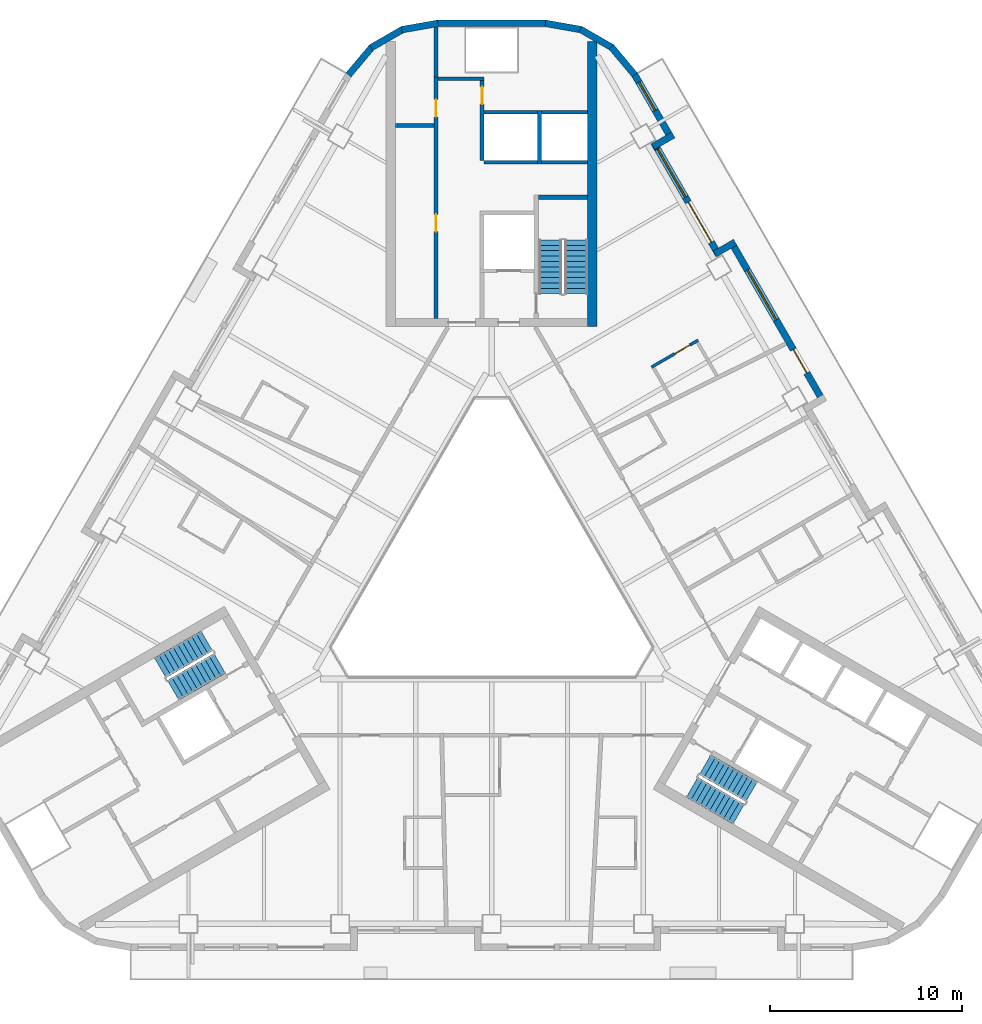
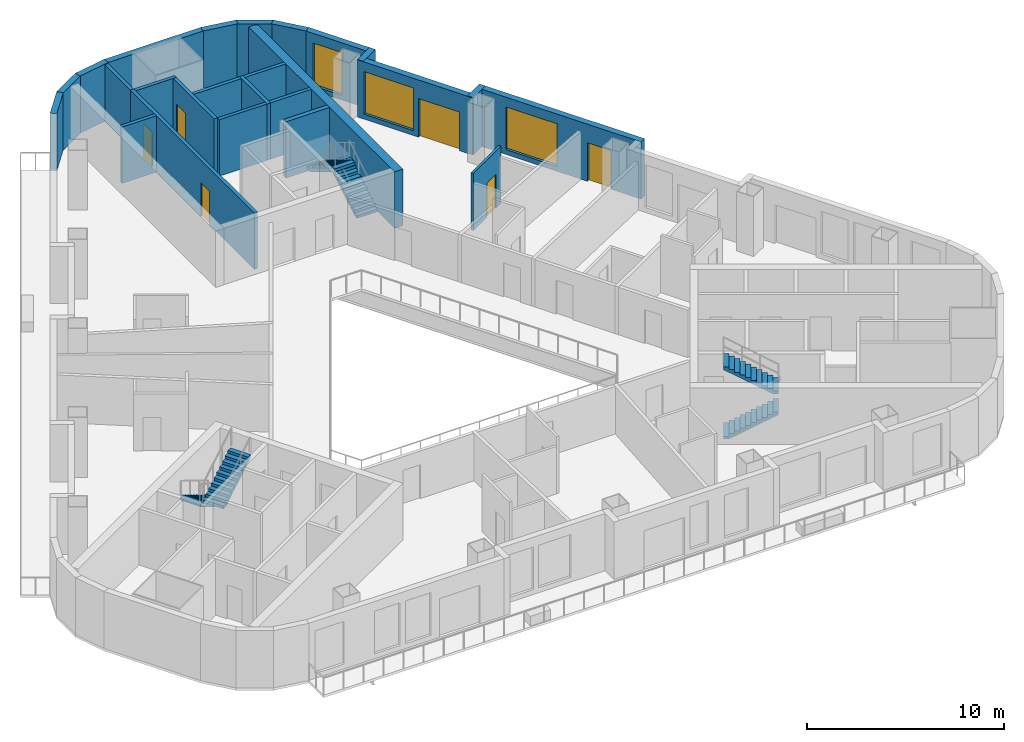
# One storey, part 7 of 13: 25 walls, 6 doors, 6 stair flights, 3 windows, 9 openings, 3 elements without a shape of their own.
"""IFC4 building model written with IfcOpenShell, lengths in metres."""

from ifc_helpers import new_model, si_unit, direction, frame, frame_2d, origin, place, context, subcontext, project, spatial, polyline, rectangle, outline, extrude, material, layer, layer_set, type_object, element, fill, aggregate, save


model = new_model("IFC4")

# Units and contexts
model_context = context("Model", 3, precision=1e-05, world=origin(), true_north=direction((0.0, 1.0)))
body_context = subcontext(model_context, "Body", "Model", "MODEL_VIEW")
ifc_project = project(units=[si_unit("LENGTHUNIT", "METRE"), si_unit("AREAUNIT", "SQUARE_METRE"), si_unit("VOLUMEUNIT", "CUBIC_METRE"), si_unit("PLANEANGLEUNIT", "RADIAN"), si_unit("MASSUNIT", "GRAM", prefix="KILO")], contexts=[model_context])

# Site, building, storey
site_placement = place(None, origin())
site = spatial("IfcSite", under=ifc_project, at=site_placement, CompositionType="ELEMENT")
building_placement = place(site_placement, origin())
building = spatial("IfcBuilding", under=site, at=building_placement, Name="Apuvela Tower Hotel", CompositionType="ELEMENT")
storey_placement = place(building_placement, frame((0.0, 0.0, 79.800048828125)))
storey = spatial("IfcBuildingStorey", under=building, at=storey_placement, Name="L17", CompositionType="ELEMENT", Elevation=79.800048828125)

# Walls
ifc_material_1 = material(Name="Concrete C50/60", Category="concrete")
ifc_layer_1 = layer(ifc_material_1, 0.5)
ifc_layer_set_1 = layer_set([ifc_layer_1], Name="COR-WALL-CORE-500")
wall_type_1 = type_object("IfcWallType", Name="COR-WALL-CORE-500", PredefinedType="SHEAR", material=ifc_layer_set_1)
wall_1_placement = place(storey_placement, frame((5.25, 12.89990234375, 0.0), z_axis=(0.0, 0.0, 1.0), x_axis=(0.0, 1.0, 0.0)))
element("IfcWall", 1, at=wall_1_placement, inside=storey, type_object=wall_type_1, Name="Core wall N", PredefinedType="SHEAR", context=body_context, shape_type="SweptSolid", body=[
    extrude(rectangle(XDim=14.8369140625, YDim=0.5, at=frame_2d((7.41845703125, 0.0))), origin(), (0.0, 0.0, 1.0), 3.5),
])
ifc_material_2 = material(Name="Blockwork 200 mm plastered", Category="masonry")
ifc_layer_2 = layer(ifc_material_2, 0.199951171875)
ifc_layer_set_2 = layer_set([ifc_layer_2], Name="COR-WALL-PART-200")
wall_type_2 = type_object("IfcWallType", Name="COR-WALL-PART-200", PredefinedType="PARTITIONING", material=ifc_layer_set_2)
wall_2_placement = place(storey_placement, frame((5.0, 21.449951171875, 0.0), z_axis=(0.0, 0.0, 1.0), x_axis=(-1.0, 0.0, 0.0)))
element("IfcWall", 2, at=wall_2_placement, inside=storey, type_object=wall_type_2, Name="Partition N", PredefinedType="PARTITIONING", context=body_context, shape_type="SweptSolid", body=[
    extrude(rectangle(XDim=2.39990234375, YDim=0.199951171875, at=frame_2d((1.199951171875, 0.0))), origin(), (0.0, 0.0, 1.0), 3.5),
])
wall_3_placement = place(storey_placement, frame((2.39990234375, 21.449951171875, 0.0), z_axis=(0.0, 0.0, 1.0), x_axis=(-1.0, 0.0, 0.0)))
element("IfcWall", 3, at=wall_3_placement, inside=storey, type_object=wall_type_2, Name="Partition N", PredefinedType="PARTITIONING", context=body_context, shape_type="SweptSolid", body=[
    extrude(rectangle(XDim=2.7998046875, YDim=0.199951171875, at=frame_2d((1.39990234375, 0.0))), origin(), (0.0, 0.0, 1.0), 3.5),
])

# Wall, openings, doors
ifc_layer_3 = layer(ifc_material_1, 0.199951171875)
ifc_layer_set_3 = layer_set([ifc_layer_3], Name="COR-WALL-SHAFT-200")
wall_type_3 = type_object("IfcWallType", Name="COR-WALL-SHAFT-200", PredefinedType="SHEAR", material=ifc_layer_set_3)
wall_4_placement = place(storey_placement, frame((-2.89990234375, 13.300048828125, 0.0), z_axis=(0.0, 0.0, 1.0), x_axis=(0.0, 1.0, 0.0)))
wall_4 = element("IfcWall", 4, at=wall_4_placement, inside=storey, type_object=wall_type_3, Name="Shaft wall N", PredefinedType="SHEAR", context=body_context, shape_type="SweptSolid", body=[
    extrude(rectangle(XDim=12.599853515625, YDim=0.199951171875, at=frame_2d((6.2998046875, 0.0))), origin(), (0.0, 0.0, 1.0), 3.5),
])
opening_1_placement = place(wall_4_placement, frame((4.530029296875, 0.0, 0.0)))
opening_1 = element("IfcOpeningElement", 5, at=opening_1_placement, cuts=wall_4, Name="Opening N-RE1", PredefinedType="OPENING", context=body_context, shape_type="SweptSolid", body=[
    extrude(rectangle(XDim=0.89990234375, YDim=2.10009765625, at=frame_2d((0.449951171875, 1.050048828125))), frame((0.0, 0.10986328125, 0.0), z_axis=(0.0, -1.0, 0.0), x_axis=(1.0, 0.0, 0.0)), (0.0, 0.0, 1.0), 0.219970703125),
])
opening_2_placement = place(wall_4_placement, frame((10.510009765625, 0.0, 0.0)))
opening_2 = element("IfcOpeningElement", 6, at=opening_2_placement, cuts=wall_4, Name="Opening N-REP", PredefinedType="OPENING", context=body_context, shape_type="SweptSolid", body=[
    extrude(rectangle(XDim=0.89990234375, YDim=2.10009765625, at=frame_2d((0.449951171875, 1.050048828125))), frame((0.0, 0.10986328125, 0.0), z_axis=(0.0, -1.0, 0.0), x_axis=(1.0, 0.0, 0.0)), (0.0, 0.0, 1.0), 0.219970703125),
])
ifc_material_3 = material(Name="Steel fire door, powder coated", Category="steel")
door_type_1 = type_object("IfcDoorType", Name="COR-DR-900", OperationType="NOTDEFINED", PredefinedType="DOOR", material=ifc_material_3)
door_1_placement = place(opening_1_placement, origin())
door_1 = element("IfcDoor", 7, at=door_1_placement, inside=storey, type_object=door_type_1, Name="Store door N-RE1", OperationType="SINGLE_SWING_LEFT", OverallHeight=2.10009765625, OverallWidth=0.89990234375, PredefinedType="DOOR", context=body_context, shape_type="SweptSolid", body=[
    extrude(rectangle(XDim=0.89990234375, YDim=2.10009765625, at=frame_2d((0.449951171875, 1.050048828125))), frame((0.0, 0.02490234375, 0.0), z_axis=(0.0, -1.0, 0.0), x_axis=(1.0, 0.0, 0.0)), (0.0, 0.0, 1.0), 0.050048828125),
])
fill(opening_1, door_1)
door_2_placement = place(opening_2_placement, origin())
door_2 = element("IfcDoor", 8, at=door_2_placement, inside=storey, type_object=door_type_1, Name="Store door N-REP", OperationType="SINGLE_SWING_RIGHT", OverallHeight=2.10009765625, OverallWidth=0.89990234375, PredefinedType="DOOR", context=body_context, shape_type="SweptSolid", body=[
    extrude(rectangle(XDim=0.89990234375, YDim=2.10009765625, at=frame_2d((0.449951171875, 1.050048828125))), frame((0.0, 0.02490234375, 0.0), z_axis=(0.0, -1.0, 0.0), x_axis=(1.0, 0.0, 0.0)), (0.0, 0.0, 1.0), 0.050048828125),
])
fill(opening_2, door_2)

# Wall
wall_5_placement = place(storey_placement, frame((-0.39990234375, 25.800048828125, 0.0), z_axis=(0.0, 0.0, 1.0), x_axis=(-1.0, 0.0, 0.0)))
element("IfcWall", 9, at=wall_5_placement, inside=storey, type_object=wall_type_3, Name="Shaft wall N", PredefinedType="SHEAR", context=body_context, shape_type="SweptSolid", body=[
    extrude(rectangle(XDim=2.400146484375, YDim=0.199951171875, at=frame_2d((1.2001953125, 0.0))), origin(), (0.0, 0.0, 1.0), 3.5),
])

# Wall, opening, door
wall_6_placement = place(storey_placement, frame((-0.5, 21.550048828125, 0.0), z_axis=(0.0, 0.0, 1.0), x_axis=(0.0, 1.0, 0.0)))
wall_6 = element("IfcWall", 10, at=wall_6_placement, inside=storey, type_object=wall_type_3, Name="Shaft wall N", PredefinedType="SHEAR", context=body_context, shape_type="SweptSolid", body=[
    extrude(rectangle(XDim=4.14990234375, YDim=0.199951171875, at=frame_2d((2.074951171875, 0.0))), origin(), (0.0, 0.0, 1.0), 3.5),
])
opening_3_placement = place(wall_6_placement, frame((2.925048828125, 0.0, 0.0)))
opening_3 = element("IfcOpeningElement", 11, at=opening_3_placement, cuts=wall_6, Name="Opening N-RSP", PredefinedType="OPENING", context=body_context, shape_type="SweptSolid", body=[
    extrude(rectangle(XDim=0.89990234375, YDim=2.10009765625, at=frame_2d((0.449951171875, 1.050048828125))), frame((0.0, 0.10986328125, 0.0), z_axis=(0.0, -1.0, 0.0), x_axis=(1.0, 0.0, 0.0)), (0.0, 0.0, 1.0), 0.219970703125),
])
door_3_placement = place(opening_3_placement, frame((0.89990234375, 0.0, 0.0), z_axis=(0.0, 0.0, 1.0), x_axis=(-1.0, 0.0, 0.0)))
door_3 = element("IfcDoor", 12, at=door_3_placement, inside=storey, type_object=door_type_1, Name="Store door N-RSP", OperationType="SINGLE_SWING_LEFT", OverallHeight=2.10009765625, OverallWidth=0.89990234375, PredefinedType="DOOR", context=body_context, shape_type="SweptSolid", body=[
    extrude(rectangle(XDim=0.89990234375, YDim=2.10009765625, at=frame_2d((0.449951171875, 1.050048828125))), frame((0.0, 0.02490234375, 0.0), z_axis=(0.0, -1.0, 0.0), x_axis=(1.0, 0.0, 0.0)), (0.0, 0.0, 1.0), 0.050048828125),
])
fill(opening_3, door_3)

# Walls
wall_7_placement = place(storey_placement, frame((-3.0, 23.360107421875, 0.0), z_axis=(0.0, 0.0, 1.0), x_axis=(-1.0, 0.0, 0.0)))
element("IfcWall", 13, at=wall_7_placement, inside=storey, type_object=wall_type_3, Name="Shaft wall N", PredefinedType="SHEAR", context=body_context, shape_type="SweptSolid", body=[
    extrude(rectangle(XDim=2.0, YDim=0.199951171875, at=frame_2d((1.0, 0.0))), origin(), (0.0, 0.0, 1.0), 3.5),
])
wall_8_placement = place(storey_placement, frame((-2.89990234375, 25.89990234375, 0.0), z_axis=(0.0, 0.0, 1.0), x_axis=(0.0, 1.0, 0.0)))
element("IfcWall", 14, at=wall_8_placement, inside=storey, type_object=wall_type_3, Name="Shaft wall N", PredefinedType="SHEAR", context=body_context, shape_type="SweptSolid", body=[
    extrude(rectangle(XDim=2.60009765625, YDim=0.199951171875, at=frame_2d((1.300048828125, 0.0))), origin(), (0.0, 0.0, 1.0), 3.5),
])
wall_9_placement = place(storey_placement, frame((2.5, 21.35009765625, 0.0), z_axis=(0.0, 0.0, 1.0), x_axis=(0.0, 1.0, 0.0)))
element("IfcWall", 15, at=wall_9_placement, inside=storey, type_object=wall_type_3, Name="Shaft wall N", PredefinedType="SHEAR", context=body_context, shape_type="SweptSolid", body=[
    extrude(rectangle(XDim=2.7998046875, YDim=0.199951171875, at=frame_2d((1.39990234375, 0.0))), origin(), (0.0, 0.0, 1.0), 3.5),
])
wall_10_placement = place(storey_placement, frame((5.0, 24.050048828125, 0.0), z_axis=(0.0, 0.0, 1.0), x_axis=(-1.0, 0.0, 0.0)))
element("IfcWall", 16, at=wall_10_placement, inside=storey, type_object=wall_type_3, Name="Shaft wall N", PredefinedType="SHEAR", context=body_context, shape_type="SweptSolid", body=[
    extrude(rectangle(XDim=2.39990234375, YDim=0.199951171875, at=frame_2d((1.199951171875, 0.0))), origin(), (0.0, 0.0, 1.0), 3.5),
])
wall_11_placement = place(storey_placement, frame((2.39990234375, 24.050048828125, 0.0), z_axis=(0.0, 0.0, 1.0), x_axis=(-1.0, 0.0, 0.0)))
element("IfcWall", 17, at=wall_11_placement, inside=storey, type_object=wall_type_3, Name="Shaft wall N", PredefinedType="SHEAR", context=body_context, shape_type="SweptSolid", body=[
    extrude(rectangle(XDim=2.7998046875, YDim=0.199951171875, at=frame_2d((1.39990234375, 0.0))), origin(), (0.0, 0.0, 1.0), 3.5),
])
ifc_layer_4 = layer(ifc_material_1, 0.25)
ifc_layer_set_4 = layer_set([ifc_layer_4], Name="COR-WALL-STAIR-250")
wall_type_4 = type_object("IfcWallType", Name="COR-WALL-STAIR-250", PredefinedType="SHEAR", material=ifc_layer_set_4)
wall_12_placement = place(storey_placement, frame((5.0, 19.625, 0.0), z_axis=(0.0, 0.0, 1.0), x_axis=(-1.0, 0.0, 0.0)))
element("IfcWall", 18, at=wall_12_placement, inside=storey, type_object=wall_type_4, Name="Stair wall N", PredefinedType="SHEAR", context=body_context, shape_type="SweptSolid", body=[
    extrude(rectangle(XDim=2.550048828125, YDim=0.25, at=frame_2d((1.27490234375, 0.0))), origin(), (0.0, 0.0, 1.0), 3.5),
])

# Wall, openings, door, window
ifc_material_4 = material(Name="Concrete C40/50, dark pigmented precast panel", Category="concrete")
ifc_layer_5 = layer(ifc_material_4, 0.35009765625)
ifc_layer_set_5 = layer_set([ifc_layer_5], Name="ENV-WALL-350")
wall_type_5 = type_object("IfcWallType", Name="ENV-WALL-350", PredefinedType="SOLIDWALL", material=ifc_layer_set_5)
wall_13_placement = place(storey_placement, frame((17.298583984375, 8.947998046875, 0.0), z_axis=(0.0, 0.0, 1.0), x_axis=(-0.500010041276, 0.866019606374, 0.0)))
wall_13 = element("IfcWall", 19, at=wall_13_placement, inside=storey, type_object=wall_type_5, Name="External wall L17-37", PredefinedType="SOLIDWALL", context=body_context, shape_type="SweptSolid", body=[
    extrude(rectangle(XDim=9.699951171875, YDim=0.35009765625, at=frame_2d((4.85009765625, 0.0))), origin(), (0.0, 0.0, 1.0), 3.550048828125),
])
opening_4_placement = place(wall_13_placement, frame((1.760009765625, 0.0, 0.0)))
opening_4 = element("IfcOpeningElement", 20, at=opening_4_placement, cuts=wall_13, Name="Opening BD14", PredefinedType="OPENING", context=body_context, shape_type="SweptSolid", body=[
    extrude(rectangle(XDim=1.39990234375, YDim=2.39990234375, at=frame_2d((0.699951171875, 1.199951171875))), frame((0.0, 0.18505859375, 0.0), z_axis=(0.0, -1.0, 0.0), x_axis=(1.0, 0.0, 0.0)), (0.0, 0.0, 1.0), 0.3701171875),
])
opening_5_placement = place(wall_13_placement, frame((4.94921875, 0.0, 0.300048828125)))
opening_5 = element("IfcOpeningElement", 21, at=opening_5_placement, cuts=wall_13, Name="Opening WN30", PredefinedType="OPENING", context=body_context, shape_type="SweptSolid", body=[
    extrude(rectangle(XDim=3.0, YDim=2.64990234375, at=frame_2d((1.5, 1.324951171875))), frame((0.0, 0.18505859375, 0.0), z_axis=(0.0, -1.0, 0.0), x_axis=(1.0, 0.0, 0.0)), (0.0, 0.0, 1.0), 0.3701171875),
])
ifc_material_5 = material(Name="Aluminium 6063-T6, dark bronze anodised frame with dark tinted laminated glass", Category="aluminium")
door_type_2 = type_object("IfcDoorType", Name="ENV-DOOR-BALCONY-1400x2400", OperationType="SLIDING_TO_LEFT", PredefinedType="DOOR", material=ifc_material_5)
door_4_placement = place(opening_4_placement, frame((1.39990234375, 0.0, 0.0), z_axis=(0.0, 0.0, 1.0), x_axis=(-1.0, 0.0, 0.0)))
door_4 = element("IfcDoor", 22, at=door_4_placement, inside=storey, type_object=door_type_2, Name="Balcony door BD14", OperationType="SLIDING_TO_LEFT", OverallHeight=2.39990234375, OverallWidth=1.39990234375, PredefinedType="DOOR", context=body_context, shape_type="SweptSolid", body=[
    extrude(rectangle(XDim=1.39990234375, YDim=2.39990234375, at=frame_2d((0.699951171875, 1.199951171875))), frame((0.0, 0.02490234375, 0.0), z_axis=(0.0, -1.0, 0.0), x_axis=(1.0, 0.0, 0.0)), (0.0, 0.0, 1.0), 0.050048828125),
])
fill(opening_4, door_4)
ifc_material_6 = material(Name="Glass, dark tinted laminated insulated glazing unit", Category="glass")
window_type_1 = type_object("IfcWindowType", Name="ENV-WIN-3000x2650", PartitioningType="SINGLE_PANEL", PredefinedType="WINDOW", material=ifc_material_6)
window_1_placement = place(opening_5_placement, origin())
window_1 = element("IfcWindow", 23, at=window_1_placement, inside=storey, type_object=window_type_1, Name="Window WN30", OverallHeight=2.64990234375, OverallWidth=3.0, PartitioningType="SINGLE_PANEL", PredefinedType="WINDOW", context=body_context, shape_type="SweptSolid", body=[
    extrude(rectangle(XDim=3.0, YDim=2.64990234375, at=frame_2d((1.5, 1.324951171875))), frame((0.0, 0.030029296875, 0.0), z_axis=(0.0, -1.0, 0.0), x_axis=(1.0, 0.0, 0.0)), (0.0, 0.0, 1.0), 0.06005859375),
])
fill(opening_5, window_1)

# Wall
wall_14_placement = place(storey_placement, frame((12.6875, 17.284423828125, 0.0), z_axis=(0.0, 0.0, 1.0), x_axis=(-0.865955602162, -0.500120880472, 0.0)))
element("IfcWall", 24, at=wall_14_placement, inside=storey, type_object=wall_type_5, Name="External wall L17-38", PredefinedType="SOLIDWALL", context=body_context, shape_type="SweptSolid", body=[
    extrude(rectangle(XDim=1.219970703125, YDim=0.35009765625, at=frame_2d((0.60986328125, 0.0))), origin(), (0.0, 0.0, 1.0), 3.550048828125),
])

# Wall, openings, door, window
wall_15_placement = place(storey_placement, frame((11.8291015625, 16.621337890625, 0.0), z_axis=(0.0, 0.0, 1.0), x_axis=(-0.500003597184, 0.866023326939, 0.0)))
wall_15 = element("IfcWall", 25, at=wall_15_placement, inside=storey, type_object=wall_type_5, Name="External wall L17-39", PredefinedType="SOLIDWALL", context=body_context, shape_type="SweptSolid", body=[
    extrude(rectangle(XDim=6.740234375, YDim=0.35009765625, at=frame_2d((3.3701171875, 0.0))), origin(), (0.0, 0.0, 1.0), 3.550048828125),
])
opening_6_placement = place(wall_15_placement, frame((0.77001953125, 0.0, 0.0)))
opening_6 = element("IfcOpeningElement", 26, at=opening_6_placement, cuts=wall_15, Name="Opening BD24", PredefinedType="OPENING", context=body_context, shape_type="SweptSolid", body=[
    extrude(rectangle(XDim=2.39990234375, YDim=2.39990234375, at=frame_2d((1.199951171875, 1.199951171875))), frame((0.0, 0.18505859375, 0.0), z_axis=(0.0, -1.0, 0.0), x_axis=(1.0, 0.0, 0.0)), (0.0, 0.0, 1.0), 0.3701171875),
])
opening_7_placement = place(wall_15_placement, frame((3.469970703125, 0.0, 0.300048828125)))
opening_7 = element("IfcOpeningElement", 27, at=opening_7_placement, cuts=wall_15, Name="Opening WN29", PredefinedType="OPENING", context=body_context, shape_type="SweptSolid", body=[
    extrude(rectangle(XDim=2.89990234375, YDim=2.64990234375, at=frame_2d((1.449951171875, 1.324951171875))), frame((0.0, 0.18505859375, 0.0), z_axis=(0.0, -1.0, 0.0), x_axis=(1.0, 0.0, 0.0)), (0.0, 0.0, 1.0), 0.3701171875),
])
door_type_3 = type_object("IfcDoorType", Name="ENV-DOOR-BALCONY-2400x2400", OperationType="SLIDING_TO_LEFT", PredefinedType="DOOR", material=ifc_material_5)
door_5_placement = place(opening_6_placement, frame((2.39990234375, 0.0, 0.0), z_axis=(0.0, 0.0, 1.0), x_axis=(-1.0, 0.0, 0.0)))
door_5 = element("IfcDoor", 28, at=door_5_placement, inside=storey, type_object=door_type_3, Name="Balcony door BD24", OperationType="SLIDING_TO_LEFT", OverallHeight=2.39990234375, OverallWidth=2.39990234375, PredefinedType="DOOR", context=body_context, shape_type="SweptSolid", body=[
    extrude(rectangle(XDim=2.39990234375, YDim=2.39990234375, at=frame_2d((1.199951171875, 1.199951171875))), frame((0.0, 0.02490234375, 0.0), z_axis=(0.0, -1.0, 0.0), x_axis=(1.0, 0.0, 0.0)), (0.0, 0.0, 1.0), 0.050048828125),
])
fill(opening_6, door_5)
window_type_2 = type_object("IfcWindowType", Name="ENV-WIN-2900x2650", PartitioningType="SINGLE_PANEL", PredefinedType="WINDOW", material=ifc_material_6)
window_2_placement = place(opening_7_placement, origin())
window_2 = element("IfcWindow", 29, at=window_2_placement, inside=storey, type_object=window_type_2, Name="Window WN29", OverallHeight=2.64990234375, OverallWidth=2.89990234375, PartitioningType="SINGLE_PANEL", PredefinedType="WINDOW", context=body_context, shape_type="SweptSolid", body=[
    extrude(rectangle(XDim=2.89990234375, YDim=2.64990234375, at=frame_2d((1.449951171875, 1.324951171875))), frame((0.0, 0.030029296875, 0.0), z_axis=(0.0, -1.0, 0.0), x_axis=(1.0, 0.0, 0.0)), (0.0, 0.0, 1.0), 0.06005859375),
])
fill(opening_7, window_2)

# Wall
wall_16_placement = place(storey_placement, frame((8.406005859375, 22.26025390625, 0.0), z_axis=(0.0, 0.0, 1.0), x_axis=(0.865955602162, 0.500120880472, 0.0)))
element("IfcWall", 30, at=wall_16_placement, inside=storey, type_object=wall_type_5, Name="External wall L17-40", PredefinedType="SOLIDWALL", context=body_context, shape_type="SweptSolid", body=[
    extrude(rectangle(XDim=1.219970703125, YDim=0.35009765625, at=frame_2d((0.60986328125, 0.0))), origin(), (0.0, 0.0, 1.0), 3.550048828125),
])

# Wall, opening, window
wall_17_placement = place(storey_placement, frame((9.3984375, 22.631103515625, 0.0), z_axis=(0.0, 0.0, 1.0), x_axis=(-0.499954521343, 0.866051659307, 0.0)))
wall_17 = element("IfcWall", 31, at=wall_17_placement, inside=storey, type_object=wall_type_5, Name="External wall L17-41", PredefinedType="SOLIDWALL", context=body_context, shape_type="SweptSolid", body=[
    extrude(rectangle(XDim=3.915771484375, YDim=0.35009765625, at=frame_2d((1.9580078125, 0.0))), origin(), (0.0, 0.0, 1.0), 3.550048828125),
])
opening_8_placement = place(wall_17_placement, frame((1.749755859375, 0.0, 0.300048828125)))
opening_8 = element("IfcOpeningElement", 32, at=opening_8_placement, cuts=wall_17, Name="Opening WN17", PredefinedType="OPENING", context=body_context, shape_type="SweptSolid", body=[
    extrude(rectangle(XDim=1.699951171875, YDim=2.64990234375, at=frame_2d((0.85009765625, 1.324951171875))), frame((0.0, 0.18505859375, 0.0), z_axis=(0.0, -1.0, 0.0), x_axis=(1.0, 0.0, 0.0)), (0.0, 0.0, 1.0), 0.3701171875),
])
window_type_3 = type_object("IfcWindowType", Name="ENV-WIN-1700x2650", PartitioningType="SINGLE_PANEL", PredefinedType="WINDOW", material=ifc_material_6)
window_3_placement = place(opening_8_placement, origin())
window_3 = element("IfcWindow", 33, at=window_3_placement, inside=storey, type_object=window_type_3, Name="Window WN17", OverallHeight=2.64990234375, OverallWidth=1.699951171875, PartitioningType="SINGLE_PANEL", PredefinedType="WINDOW", context=body_context, shape_type="SweptSolid", body=[
    extrude(rectangle(XDim=1.699951171875, YDim=2.64990234375, at=frame_2d((0.85009765625, 1.324951171875))), frame((0.0, 0.030029296875, 0.0), z_axis=(0.0, -1.0, 0.0), x_axis=(1.0, 0.0, 0.0)), (0.0, 0.0, 1.0), 0.06005859375),
])
fill(opening_8, window_3)

# Walls
wall_18_placement = place(storey_placement, frame((7.4580078125, 25.99755859375, 0.0), z_axis=(0.0, 0.0, 1.0), x_axis=(-0.642808304945, 0.766027077259, 0.0)))
element("IfcWall", 34, at=wall_18_placement, inside=storey, type_object=wall_type_5, Name="External wall L17-42", PredefinedType="SOLIDWALL", context=body_context, shape_type="SweptSolid", body=[
    extrude(rectangle(XDim=1.909912109375, YDim=0.35009765625, at=frame_2d((0.955078125, 0.0))), origin(), (0.0, 0.0, 1.0), 3.550048828125),
])
for number, where, z_axis, x_axis, name in (
    (35, (6.27685546875, 27.421630859375, 0.0), (0.0, 0.0, 1.0), (-0.866032345022, 0.499987977232, 0.0), "External wall L17-43"),
    (36, (4.6796875, 28.35595703125, 0.0), (0.0, 0.0, 1.0), (-0.984798995425, 0.173697837091, 0.0), "External wall L17-44"),
):
    element("IfcWall", number, at=place(storey_placement, frame(where, z_axis=z_axis, x_axis=x_axis)), inside=storey, type_object=wall_type_5, Name=name, PredefinedType="SOLIDWALL", context=body_context, shape_type="SweptSolid", body=[
        extrude(rectangle(XDim=1.91015625, YDim=0.35009765625, at=frame_2d((0.955078125, 0.0))), origin(), (0.0, 0.0, 1.0), 3.550048828125),
    ])
wall_19_placement = place(storey_placement, frame((2.8291015625, 28.68505859375, 0.0), z_axis=(0.0, 0.0, 1.0), x_axis=(-1.0, 0.0, 0.0)))
element("IfcWall", 37, at=wall_19_placement, inside=storey, type_object=wall_type_5, Name="External wall L17-45", PredefinedType="SOLIDWALL", context=body_context, shape_type="SweptSolid", body=[
    extrude(rectangle(XDim=5.658203125, YDim=0.35009765625, at=frame_2d((2.8291015625, 0.0))), origin(), (0.0, 0.0, 1.0), 3.550048828125),
])
for number, where, z_axis, x_axis, name in (
    (38, (-2.798583984375, 28.687744140625, 0.0), (0.0, 0.0, 1.0), (-0.984798995425, -0.173697837091, 0.0), "External wall L17-46"),
    (39, (-4.62255859375, 28.376708984375, 0.0), (0.0, 0.0, 1.0), (-0.866032345022, -0.499987977232, 0.0), "External wall L17-47"),
):
    element("IfcWall", number, at=place(storey_placement, frame(where, z_axis=z_axis, x_axis=x_axis)), inside=storey, type_object=wall_type_5, Name=name, PredefinedType="SOLIDWALL", context=body_context, shape_type="SweptSolid", body=[
        extrude(rectangle(XDim=1.91015625, YDim=0.35009765625, at=frame_2d((0.955078125, 0.0))), origin(), (0.0, 0.0, 1.0), 3.550048828125),
    ])
wall_20_placement = place(storey_placement, frame((-6.230224609375, 27.460693359375, 0.0), z_axis=(0.0, 0.0, 1.0), x_axis=(-0.642808304945, -0.766027077259, 0.0)))
element("IfcWall", 40, at=wall_20_placement, inside=storey, type_object=wall_type_5, Name="External wall L17-48", PredefinedType="SOLIDWALL", context=body_context, shape_type="SweptSolid", body=[
    extrude(rectangle(XDim=1.909912109375, YDim=0.35009765625, at=frame_2d((0.955078125, 0.0))), origin(), (0.0, 0.0, 1.0), 3.550048828125),
])

# Wall, opening, door
ifc_material_7 = material(Name="Moisture-resistant gypsum board wet wall on steel stud", Category="steel")
ifc_layer_6 = layer(ifc_material_7, 0.14990234375)
ifc_layer_set_6 = layer_set([ifc_layer_6], Name="GST-PW3")
wall_type_6 = type_object("IfcWallType", Name="GST-PW3", PredefinedType="PARTITIONING", material=ifc_layer_set_6)
wall_21_placement = place(storey_placement, frame((10.75341796875, 12.17431640625, 0.0), z_axis=(0.0, 0.0, 1.0), x_axis=(-0.866034573852, -0.49998411664, 0.0)))
wall_21 = element("IfcWall", 41, at=wall_21_placement, inside=storey, type_object=wall_type_6, Name="L17 partition 30", PredefinedType="PARTITIONING", context=body_context, shape_type="SweptSolid", body=[
    extrude(rectangle(XDim=2.7998046875, YDim=0.14990234375, at=frame_2d((1.39990234375, 0.0))), origin(), (0.0, 0.0, 1.0), 3.550048828125),
])
opening_9_placement = place(wall_21_placement, frame((0.5, 0.0, 0.0)))
opening_9 = element("IfcOpeningElement", 42, at=opening_9_placement, cuts=wall_21, Name="Opening GD05-13", PredefinedType="OPENING", context=body_context, shape_type="SweptSolid", body=[
    extrude(rectangle(XDim=0.89990234375, YDim=2.10009765625, at=frame_2d((0.449951171875, 1.050048828125))), frame((0.0, 0.0849609375, 0.0), z_axis=(0.0, -1.0, 0.0), x_axis=(1.0, 0.0, 0.0)), (0.0, 0.0, 1.0), 0.169921875),
])
ifc_material_8 = material(Name="Timber door leaf in steel frame", Category="steel")
door_type_4 = type_object("IfcDoorType", Name="GST-D2", OperationType="NOTDEFINED", PredefinedType="DOOR", material=ifc_material_8)
door_6_placement = place(opening_9_placement, origin())
door_6 = element("IfcDoor", 43, at=door_6_placement, inside=storey, type_object=door_type_4, Name="Door L17-13", OperationType="SINGLE_SWING_LEFT", OverallHeight=2.10009765625, OverallWidth=0.89990234375, PredefinedType="DOOR", context=body_context, shape_type="SweptSolid", body=[
    extrude(rectangle(XDim=0.89990234375, YDim=2.10009765625, at=frame_2d((0.449951171875, 1.050048828125))), frame((0.0, 0.02490234375, 0.0), z_axis=(0.0, -1.0, 0.0), x_axis=(1.0, 0.0, 0.0)), (0.0, 0.0, 1.0), 0.050048828125),
])
fill(opening_9, door_6)

# Stair, stair flights
stair_type = type_object("IfcStairType", Name="COR-STAIR-22R", PredefinedType="HALF_TURN_STAIR", material=ifc_material_1)
stair_1_placement = place(storey_placement, origin())
stair_1 = element("IfcStair", 44, at=stair_1_placement, inside=storey, type_object=stair_type, Name="L17 Exit stair ST1", PredefinedType="HALF_TURN_STAIR")
stair_flight_type = type_object("IfcStairFlightType", Name="COR-FLIGHT-11R", PredefinedType="STRAIGHT", material=ifc_material_1)
stair_flight_1_placement = place(storey_placement, frame((4.39990234375, 14.60009765625, 0.0), z_axis=(0.0, 0.0, 1.0), x_axis=(0.0, 1.0, 0.0)))
stair_flight_1 = element("IfcStairFlight", 45, at=stair_flight_1_placement, type_object=stair_flight_type, Name="ST1 flight 1", NumberOfRisers=11, NumberOfTreads=10, PredefinedType="STRAIGHT", RiserHeight=0.168181818, TreadLength=0.28, context=body_context, shape_type="SweptSolid", body=[
    extrude(outline(polyline([(0.0, 0.0), (0.0, 0.168212890625), (0.280029296875, 0.168212890625), (0.280029296875, 0.33642578125), (0.56005859375, 0.33642578125), (0.56005859375, 0.504638671875), (0.840087890625, 0.504638671875), (0.840087890625, 0.672607421875), (1.1201171875, 0.672607421875), (1.1201171875, 0.8408203125), (1.39990234375, 0.8408203125), (1.39990234375, 1.009033203125), (1.679931640625, 1.009033203125), (1.679931640625, 1.17724609375), (1.9599609375, 1.17724609375), (1.9599609375, 1.345458984375), (2.239990234375, 1.345458984375), (2.239990234375, 1.513671875), (2.52001953125, 1.513671875), (2.52001953125, 1.681884765625), (2.800048828125, 1.681884765625), (2.800048828125, 1.85009765625), (2.800048828125, 1.5068359375), (0.291015625, 0.0), (0.0, 0.0)])), frame((0.0, 0.60009765625, 0.0), z_axis=(0.0, -1.0, 0.0), x_axis=(1.0, 0.0, 0.0)), (0.0, 0.0, 1.0), 1.199951171875),
])
stair_flight_2_placement = place(storey_placement, frame((3.050048828125, 17.39990234375, 1.849853515625), z_axis=(0.0, 0.0, 1.0), x_axis=(0.0, -1.0, 0.0)))
stair_flight_2 = element("IfcStairFlight", 46, at=stair_flight_2_placement, type_object=stair_flight_type, Name="ST1 flight 2", NumberOfRisers=11, NumberOfTreads=10, PredefinedType="STRAIGHT", RiserHeight=0.168181818, TreadLength=0.28, context=body_context, shape_type="SweptSolid", body=[
    extrude(outline(polyline([(0.0, 0.0), (0.0, 0.168212890625), (0.280029296875, 0.168212890625), (0.280029296875, 0.33642578125), (0.56005859375, 0.33642578125), (0.56005859375, 0.504638671875), (0.840087890625, 0.504638671875), (0.840087890625, 0.672607421875), (1.1201171875, 0.672607421875), (1.1201171875, 0.8408203125), (1.39990234375, 0.8408203125), (1.39990234375, 1.009033203125), (1.679931640625, 1.009033203125), (1.679931640625, 1.17724609375), (1.9599609375, 1.17724609375), (1.9599609375, 1.345458984375), (2.239990234375, 1.345458984375), (2.239990234375, 1.513671875), (2.52001953125, 1.513671875), (2.52001953125, 1.681884765625), (2.800048828125, 1.681884765625), (2.800048828125, 1.85009765625), (2.800048828125, 1.5068359375), (0.291015625, 0.0), (0.0, 0.0)])), frame((0.0, 0.60009765625, 0.0), z_axis=(0.0, -1.0, 0.0), x_axis=(1.0, 0.0, 0.0)), (0.0, 0.0, 1.0), 1.199951171875),
])
aggregate(stair_1, [stair_flight_1, stair_flight_2])

stair_2_placement = place(storey_placement, origin())
stair_2 = element("IfcStair", 47, at=stair_2_placement, inside=storey, type_object=stair_type, Name="L17 Exit stair ST2", PredefinedType="HALF_TURN_STAIR")
stair_flight_3_placement = place(storey_placement, frame((-14.843994140625, -3.489501953125, 0.0), z_axis=(0.0, 0.0, 1.0), x_axis=(-0.866025403784, -0.5, 0.0)))
stair_flight_3 = element("IfcStairFlight", 48, at=stair_flight_3_placement, type_object=stair_flight_type, Name="ST2 flight 1", NumberOfRisers=11, NumberOfTreads=10, PredefinedType="STRAIGHT", RiserHeight=0.168181818, TreadLength=0.28, context=body_context, shape_type="SweptSolid", body=[
    extrude(outline(polyline([(0.0, 0.0), (0.0, 0.168212890625), (0.280029296875, 0.168212890625), (0.280029296875, 0.33642578125), (0.56005859375, 0.33642578125), (0.56005859375, 0.504638671875), (0.840087890625, 0.504638671875), (0.840087890625, 0.672607421875), (1.1201171875, 0.672607421875), (1.1201171875, 0.8408203125), (1.39990234375, 0.8408203125), (1.39990234375, 1.009033203125), (1.679931640625, 1.009033203125), (1.679931640625, 1.17724609375), (1.9599609375, 1.17724609375), (1.9599609375, 1.345458984375), (2.239990234375, 1.345458984375), (2.239990234375, 1.513671875), (2.52001953125, 1.513671875), (2.52001953125, 1.681884765625), (2.800048828125, 1.681884765625), (2.800048828125, 1.85009765625), (2.800048828125, 1.5068359375), (0.291015625, 0.0), (0.0, 0.0)])), frame((0.0, 0.60009765625, 0.0), z_axis=(0.0, -1.0, 0.0), x_axis=(1.0, 0.0, 0.0)), (0.0, 0.0, 1.0), 1.199951171875),
])
stair_flight_4_placement = place(storey_placement, frame((-16.59375, -6.05859375, 1.849853515625), z_axis=(0.0, 0.0, 1.0), x_axis=(0.866025403784, 0.5, 0.0)))
stair_flight_4 = element("IfcStairFlight", 49, at=stair_flight_4_placement, type_object=stair_flight_type, Name="ST2 flight 2", NumberOfRisers=11, NumberOfTreads=10, PredefinedType="STRAIGHT", RiserHeight=0.168181818, TreadLength=0.28, context=body_context, shape_type="SweptSolid", body=[
    extrude(outline(polyline([(0.0, 0.0), (0.0, 0.168212890625), (0.280029296875, 0.168212890625), (0.280029296875, 0.33642578125), (0.56005859375, 0.33642578125), (0.56005859375, 0.504638671875), (0.840087890625, 0.504638671875), (0.840087890625, 0.672607421875), (1.1201171875, 0.672607421875), (1.1201171875, 0.8408203125), (1.39990234375, 0.8408203125), (1.39990234375, 1.009033203125), (1.679931640625, 1.009033203125), (1.679931640625, 1.17724609375), (1.9599609375, 1.17724609375), (1.9599609375, 1.345458984375), (2.239990234375, 1.345458984375), (2.239990234375, 1.513671875), (2.52001953125, 1.513671875), (2.52001953125, 1.681884765625), (2.800048828125, 1.681884765625), (2.800048828125, 1.85009765625), (2.800048828125, 1.5068359375), (0.291015625, 0.0), (0.0, 0.0)])), frame((0.0, 0.60009765625, 0.0), z_axis=(0.0, -1.0, 0.0), x_axis=(1.0, 0.0, 0.0)), (0.0, 0.0, 1.0), 1.199951171875),
])
aggregate(stair_2, [stair_flight_3, stair_flight_4])

stair_3_placement = place(storey_placement, origin())
stair_3 = element("IfcStair", 50, at=stair_3_placement, inside=storey, type_object=stair_type, Name="L17 Exit stair ST3", PredefinedType="HALF_TURN_STAIR")
stair_flight_5_placement = place(storey_placement, frame((10.444091796875, -11.110595703125, 0.0), z_axis=(0.0, 0.0, 1.0), x_axis=(0.866025403784, -0.5, 0.0)))
stair_flight_5 = element("IfcStairFlight", 51, at=stair_flight_5_placement, type_object=stair_flight_type, Name="ST3 flight 1", NumberOfRisers=11, NumberOfTreads=10, PredefinedType="STRAIGHT", RiserHeight=0.168181818, TreadLength=0.28, context=body_context, shape_type="SweptSolid", body=[
    extrude(outline(polyline([(0.0, 0.0), (0.0, 0.168212890625), (0.280029296875, 0.168212890625), (0.280029296875, 0.33642578125), (0.56005859375, 0.33642578125), (0.56005859375, 0.504638671875), (0.840087890625, 0.504638671875), (0.840087890625, 0.672607421875), (1.1201171875, 0.672607421875), (1.1201171875, 0.8408203125), (1.39990234375, 0.8408203125), (1.39990234375, 1.009033203125), (1.679931640625, 1.009033203125), (1.679931640625, 1.17724609375), (1.9599609375, 1.17724609375), (1.9599609375, 1.345458984375), (2.239990234375, 1.345458984375), (2.239990234375, 1.513671875), (2.52001953125, 1.513671875), (2.52001953125, 1.681884765625), (2.800048828125, 1.681884765625), (2.800048828125, 1.85009765625), (2.800048828125, 1.5068359375), (0.291015625, 0.0), (0.0, 0.0)])), frame((0.0, 0.60009765625, 0.0), z_axis=(0.0, -1.0, 0.0), x_axis=(1.0, 0.0, 0.0)), (0.0, 0.0, 1.0), 1.199951171875),
])
stair_flight_6_placement = place(storey_placement, frame((13.5439453125, -11.34130859375, 1.849853515625), z_axis=(0.0, 0.0, 1.0), x_axis=(-0.866025403784, 0.5, 0.0)))
stair_flight_6 = element("IfcStairFlight", 52, at=stair_flight_6_placement, type_object=stair_flight_type, Name="ST3 flight 2", NumberOfRisers=11, NumberOfTreads=10, PredefinedType="STRAIGHT", RiserHeight=0.168181818, TreadLength=0.28, context=body_context, shape_type="SweptSolid", body=[
    extrude(outline(polyline([(0.0, 0.0), (0.0, 0.168212890625), (0.280029296875, 0.168212890625), (0.280029296875, 0.33642578125), (0.56005859375, 0.33642578125), (0.56005859375, 0.504638671875), (0.840087890625, 0.504638671875), (0.840087890625, 0.672607421875), (1.1201171875, 0.672607421875), (1.1201171875, 0.8408203125), (1.39990234375, 0.8408203125), (1.39990234375, 1.009033203125), (1.679931640625, 1.009033203125), (1.679931640625, 1.17724609375), (1.9599609375, 1.17724609375), (1.9599609375, 1.345458984375), (2.239990234375, 1.345458984375), (2.239990234375, 1.513671875), (2.52001953125, 1.513671875), (2.52001953125, 1.681884765625), (2.800048828125, 1.681884765625), (2.800048828125, 1.85009765625), (2.800048828125, 1.5068359375), (0.291015625, 0.0), (0.0, 0.0)])), frame((0.0, 0.60009765625, 0.0), z_axis=(0.0, -1.0, 0.0), x_axis=(1.0, 0.0, 0.0)), (0.0, 0.0, 1.0), 1.199951171875),
])
aggregate(stair_3, [stair_flight_5, stair_flight_6])

save(model, "model.ifc")
